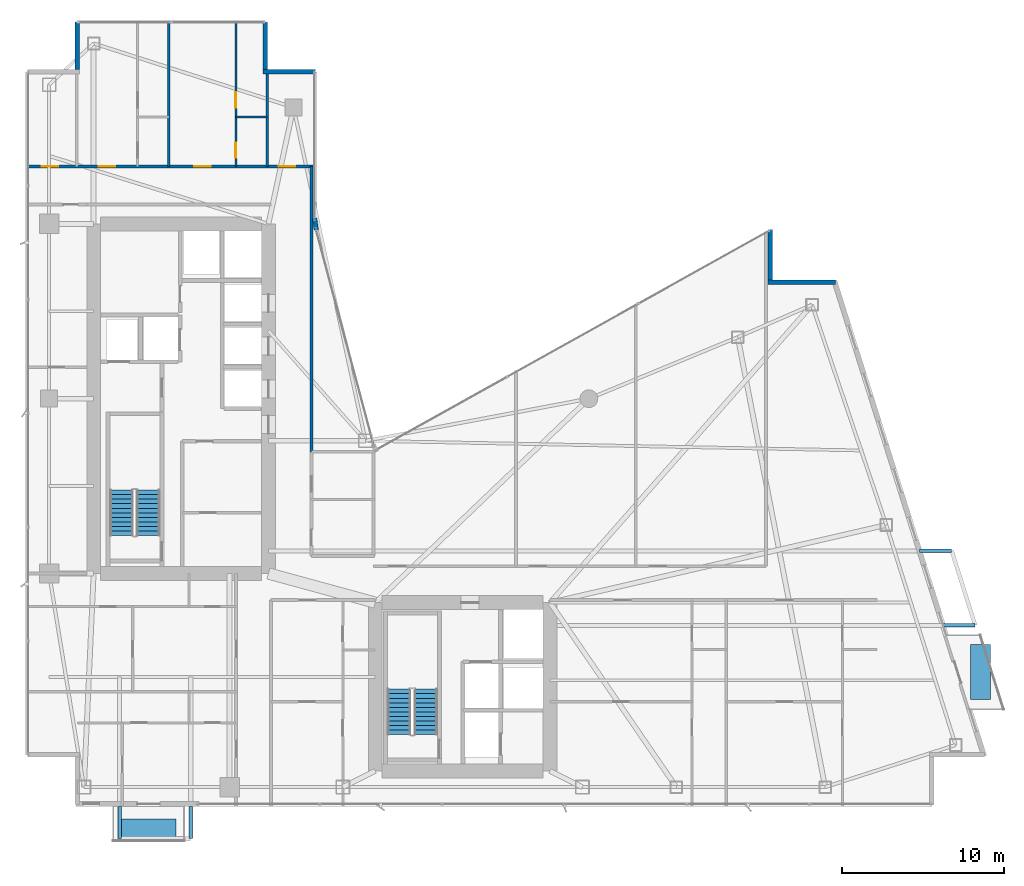
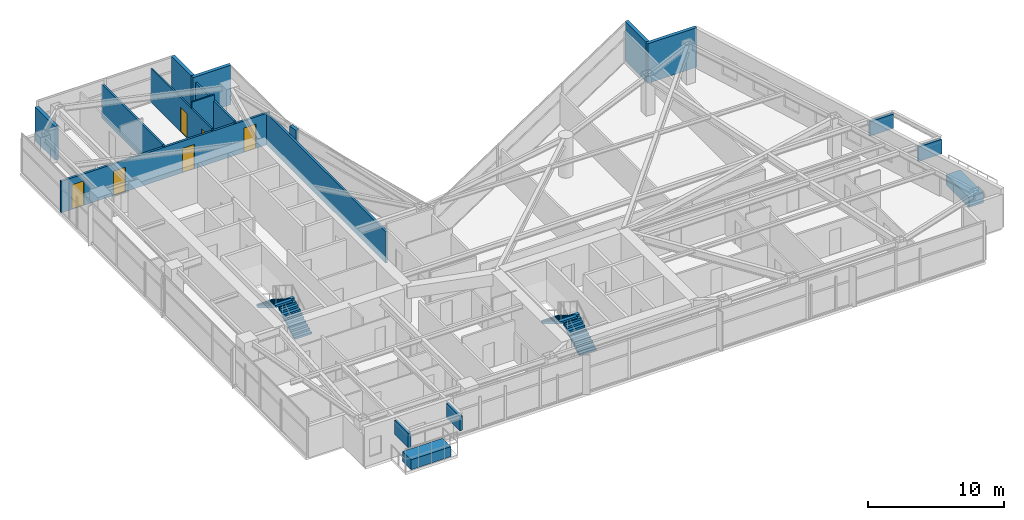
# One storey, part 25 of 28: 12 walls, 6 discrete accessories, 6 doors, 4 stair flights, 6 openings, 2 elements without a shape of their own.
"""IFC4 building model written with IfcOpenShell, lengths in metres."""

from ifc_helpers import new_model, si_unit, direction, frame, frame_2d, origin, origin_2d, place, context, subcontext, project, spatial, polyline, rectangle, outline, extrude, material, layer, layer_set, type_object, element, fill, aggregate, save


model = new_model("IFC4")

# Units and contexts
model_context = context("Model", 3, precision=1e-05, world=origin(), true_north=direction((0.0, 1.0)))
body_context = subcontext(model_context, "Body", "Model", "MODEL_VIEW")
ifc_project = project(units=[si_unit("LENGTHUNIT", "METRE"), si_unit("AREAUNIT", "SQUARE_METRE"), si_unit("VOLUMEUNIT", "CUBIC_METRE"), si_unit("PLANEANGLEUNIT", "RADIAN"), si_unit("MASSUNIT", "GRAM", prefix="KILO")], contexts=[model_context])

# Site, building, storey
site_placement = place(None, origin())
site = spatial("IfcSite", under=ifc_project, at=site_placement, CompositionType="ELEMENT")
building_placement = place(site_placement, origin())
building = spatial("IfcBuilding", under=site, at=building_placement, Name="Calvorn Quay Hotel", CompositionType="ELEMENT")
storey_placement = place(building_placement, frame((0.0, 0.0, 101.199951171875)))
storey = spatial("IfcBuildingStorey", under=building, at=storey_placement, Name="L24", CompositionType="ELEMENT", Elevation=101.199951171875)

# Wall, openings, doors
ifc_material_1 = material(Name="Acoustic Fireboard Steel-Stud Partition", Category="steel")
ifc_layer_1 = layer(ifc_material_1, 0.179931640625)
ifc_layer_set_1 = layer_set([ifc_layer_1], Name="WL-CORR-FIRE-180")
wall_type_1 = type_object("IfcWallType", Name="WL-CORR-FIRE-180", PredefinedType="PARTITIONING", material=ifc_layer_set_1)
wall_1_placement = place(storey_placement, frame((0.080078125, 41.949951171875, 0.0), z_axis=(0.0, 0.0, 1.0), x_axis=(1.0, 0.0, 0.0)))
wall_1 = element("IfcWall", 1, at=wall_1_placement, inside=storey, type_object=wall_type_1, Name="Partition Wall L24-WL-CORR-NW-N", PredefinedType="PARTITIONING", context=body_context, shape_type="SweptSolid", body=[
    extrude(rectangle(XDim=17.77001953125, YDim=0.179931640625, at=frame_2d((8.885009765625, 0.0))), origin(), (0.0, 0.0, 1.0), 2.840087890625),
])
opening_1_placement = place(wall_1_placement, frame((0.89990234375, 0.0, 0.0)))
opening_1 = element("IfcOpeningElement", 2, at=opening_1_placement, cuts=wall_1, Name="Opening D-L24-NWW", PredefinedType="OPENING", context=body_context, shape_type="SweptSolid", body=[
    extrude(rectangle(XDim=1.02001953125, YDim=2.199951171875, at=frame_2d((0.510009765625, 1.10009765625))), frame((0.0, 0.099853515625, 0.0), z_axis=(0.0, -1.0, 0.0), x_axis=(1.0, 0.0, 0.0)), (0.0, 0.0, 1.0), 0.199951171875),
])
opening_2_placement = place(wall_1_placement, frame((4.449951171875, 0.0, 0.0)))
opening_2 = element("IfcOpeningElement", 3, at=opening_2_placement, cuts=wall_1, Name="Opening D-L24-U04", PredefinedType="OPENING", context=body_context, shape_type="SweptSolid", body=[
    extrude(rectangle(XDim=1.02001953125, YDim=2.199951171875, at=frame_2d((0.510009765625, 1.10009765625))), frame((0.0, 0.099853515625, 0.0), z_axis=(0.0, -1.0, 0.0), x_axis=(1.0, 0.0, 0.0)), (0.0, 0.0, 1.0), 0.199951171875),
])
opening_3_placement = place(wall_1_placement, frame((10.330078125, 0.0, 0.0)))
opening_3 = element("IfcOpeningElement", 4, at=opening_3_placement, cuts=wall_1, Name="Opening D-L24-U05", PredefinedType="OPENING", context=body_context, shape_type="SweptSolid", body=[
    extrude(rectangle(XDim=1.02001953125, YDim=2.199951171875, at=frame_2d((0.510009765625, 1.10009765625))), frame((0.0, 0.099853515625, 0.0), z_axis=(0.0, -1.0, 0.0), x_axis=(1.0, 0.0, 0.0)), (0.0, 0.0, 1.0), 0.199951171875),
])
opening_4_placement = place(wall_1_placement, frame((15.550048828125, 0.0, 0.0)))
opening_4 = element("IfcOpeningElement", 5, at=opening_4_placement, cuts=wall_1, Name="Opening D-L24-NWE", PredefinedType="OPENING", context=body_context, shape_type="SweptSolid", body=[
    extrude(rectangle(XDim=1.02001953125, YDim=2.199951171875, at=frame_2d((0.510009765625, 1.10009765625))), frame((0.0, 0.099853515625, 0.0), z_axis=(0.0, -1.0, 0.0), x_axis=(1.0, 0.0, 0.0)), (0.0, 0.0, 1.0), 0.199951171875),
])
ifc_material_2 = material(Name="Solid-Core Walnut Veneer Hotel Fire Door")
door_type_1 = type_object("IfcDoorType", Name="DR-GUEST-ENTRY-1020", OperationType="NOTDEFINED", PredefinedType="DOOR", material=ifc_material_2)
door_1_placement = place(opening_1_placement, origin())
door_1 = element("IfcDoor", 6, at=door_1_placement, inside=storey, type_object=door_type_1, Name="West Corner Study Door (L24)", OperationType="SINGLE_SWING_LEFT", OverallHeight=2.199951171875, OverallWidth=1.02001953125, PredefinedType="DOOR", context=body_context, shape_type="SweptSolid", body=[
    extrude(rectangle(XDim=1.02001953125, YDim=2.199951171875, at=frame_2d((0.510009765625, 1.10009765625))), frame((0.0, 0.02490234375, 0.0), z_axis=(0.0, -1.0, 0.0), x_axis=(1.0, 0.0, 0.0)), (0.0, 0.0, 1.0), 0.050048828125),
])
fill(opening_1, door_1)
door_2_placement = place(opening_2_placement, origin())
door_2 = element("IfcDoor", 7, at=door_2_placement, inside=storey, type_object=door_type_1, Name="North-West Unit Door U04 (L24)", OperationType="SINGLE_SWING_RIGHT", OverallHeight=2.199951171875, OverallWidth=1.02001953125, PredefinedType="DOOR", context=body_context, shape_type="SweptSolid", body=[
    extrude(rectangle(XDim=1.02001953125, YDim=2.199951171875, at=frame_2d((0.510009765625, 1.10009765625))), frame((0.0, 0.02490234375, 0.0), z_axis=(0.0, -1.0, 0.0), x_axis=(1.0, 0.0, 0.0)), (0.0, 0.0, 1.0), 0.050048828125),
])
fill(opening_2, door_2)
door_3_placement = place(opening_3_placement, origin())
door_3 = element("IfcDoor", 8, at=door_3_placement, inside=storey, type_object=door_type_1, Name="North-West Unit Door U05 (L24)", OperationType="SINGLE_SWING_LEFT", OverallHeight=2.199951171875, OverallWidth=1.02001953125, PredefinedType="DOOR", context=body_context, shape_type="SweptSolid", body=[
    extrude(rectangle(XDim=1.02001953125, YDim=2.199951171875, at=frame_2d((0.510009765625, 1.10009765625))), frame((0.0, 0.02490234375, 0.0), z_axis=(0.0, -1.0, 0.0), x_axis=(1.0, 0.0, 0.0)), (0.0, 0.0, 1.0), 0.050048828125),
])
fill(opening_3, door_3)
door_4_placement = place(opening_4_placement, origin())
door_4 = element("IfcDoor", 9, at=door_4_placement, inside=storey, type_object=door_type_1, Name="Inner Court Study Door (L24)", OperationType="SINGLE_SWING_RIGHT", OverallHeight=2.199951171875, OverallWidth=1.02001953125, PredefinedType="DOOR", context=body_context, shape_type="SweptSolid", body=[
    extrude(rectangle(XDim=1.02001953125, YDim=2.199951171875, at=frame_2d((0.510009765625, 1.10009765625))), frame((0.0, 0.02490234375, 0.0), z_axis=(0.0, -1.0, 0.0), x_axis=(1.0, 0.0, 0.0)), (0.0, 0.0, 1.0), 0.050048828125),
])
fill(opening_4, door_4)

# Walls
wall_2_placement = place(storey_placement, frame((17.64990234375, 24.300048828125, 0.0), z_axis=(0.0, 0.0, 1.0), x_axis=(0.0, 1.0, 0.0)))
element("IfcWall", 10, at=wall_2_placement, inside=storey, type_object=wall_type_1, Name="Partition Wall L24-WL-NW-CLOSURE-E", PredefinedType="PARTITIONING", context=body_context, shape_type="SweptSolid", body=[
    extrude(rectangle(XDim=17.64990234375, YDim=0.179931640625, at=frame_2d((8.824951171875, 0.0))), origin(), (0.0, 0.0, 1.0), 2.840087890625),
])
ifc_material_3 = material(Name="Moisture-Resistant Tile-Backed Partition")
ifc_layer_2 = layer(ifc_material_3, 0.125)
ifc_layer_set_2 = layer_set([ifc_layer_2], Name="WL-ENSUITE-125")
wall_type_2 = type_object("IfcWallType", Name="WL-ENSUITE-125", PredefinedType="PARTITIONING", material=ifc_layer_set_2)
wall_3_placement = place(storey_placement, frame((12.989990234375, 45.02001953125, 0.0), z_axis=(0.0, 0.0, 1.0), x_axis=(1.0, 0.0, 0.0)))
element("IfcWall", 11, at=wall_3_placement, inside=storey, type_object=wall_type_2, Name="Partition Wall L24-WL-U05-BDV", PredefinedType="PARTITIONING", context=body_context, shape_type="SweptSolid", body=[
    extrude(rectangle(XDim=1.929931640625, YDim=0.125, at=frame_2d((0.96484375, 0.0))), origin(), (0.0, 0.0, 1.0), 3.56005859375),
])

# Wall, openings, doors
wall_4_placement = place(storey_placement, frame((12.989990234375, 41.949951171875, 0.0), z_axis=(0.0, 0.0, 1.0), x_axis=(0.0, 1.0, 0.0)))
wall_4 = element("IfcWall", 12, at=wall_4_placement, inside=storey, type_object=wall_type_2, Name="Partition Wall L24-WL-U05-BV", PredefinedType="PARTITIONING", context=body_context, shape_type="SweptSolid", body=[
    extrude(rectangle(XDim=8.989990234375, YDim=0.125, at=frame_2d((4.4951171875, 0.0))), origin(), (0.0, 0.0, 1.0), 3.0400390625),
])
opening_5_placement = place(wall_4_placement, frame((0.550048828125, 0.0, 0.0)))
opening_5 = element("IfcOpeningElement", 13, at=opening_5_placement, cuts=wall_4, Name="Opening D-L24-E05", PredefinedType="OPENING", context=body_context, shape_type="SweptSolid", body=[
    extrude(rectangle(XDim=0.89990234375, YDim=2.14990234375, at=frame_2d((0.449951171875, 1.074951171875))), frame((0.0, 0.072509765625, 0.0), z_axis=(0.0, -1.0, 0.0), x_axis=(1.0, 0.0, 0.0)), (0.0, 0.0, 1.0), 0.14501953125),
])
opening_6_placement = place(wall_4_placement, frame((3.6201171875, 0.0, 0.0)))
opening_6 = element("IfcOpeningElement", 14, at=opening_6_placement, cuts=wall_4, Name="Opening D-L24-S05", PredefinedType="OPENING", context=body_context, shape_type="SweptSolid", body=[
    extrude(rectangle(XDim=0.9599609375, YDim=2.199951171875, at=frame_2d((0.47998046875, 1.10009765625))), frame((0.0, 0.072509765625, 0.0), z_axis=(0.0, -1.0, 0.0), x_axis=(1.0, 0.0, 0.0)), (0.0, 0.0, 1.0), 0.14501953125),
])
ifc_material_4 = material(Name="Moisture-Sealed Timber En-Suite Door", Category="wood")
door_type_2 = type_object("IfcDoorType", Name="DR-ENSUITE-900", OperationType="NOTDEFINED", PredefinedType="DOOR", material=ifc_material_4)
door_5_placement = place(opening_5_placement, origin())
door_5 = element("IfcDoor", 15, at=door_5_placement, inside=storey, type_object=door_type_2, Name="En-Suite Door 05", OperationType="SINGLE_SWING_LEFT", OverallHeight=2.14990234375, OverallWidth=0.89990234375, PredefinedType="DOOR", context=body_context, shape_type="SweptSolid", body=[
    extrude(rectangle(XDim=0.89990234375, YDim=2.14990234375, at=frame_2d((0.449951171875, 1.074951171875))), frame((0.0, 0.02490234375, 0.0), z_axis=(0.0, -1.0, 0.0), x_axis=(1.0, 0.0, 0.0)), (0.0, 0.0, 1.0), 0.050048828125),
])
fill(opening_5, door_5)
ifc_material_5 = material(Name="Solid Timber Internal Suite Door", Category="wood")
door_type_3 = type_object("IfcDoorType", Name="DR-SUITE-INT-960", OperationType="NOTDEFINED", PredefinedType="DOOR", material=ifc_material_5)
door_6_placement = place(opening_6_placement, origin())
door_6 = element("IfcDoor", 16, at=door_6_placement, inside=storey, type_object=door_type_3, Name="Children Play Nursery Door 05", OperationType="SINGLE_SWING_RIGHT", OverallHeight=2.199951171875, OverallWidth=0.9599609375, PredefinedType="DOOR", context=body_context, shape_type="SweptSolid", body=[
    extrude(rectangle(XDim=0.9599609375, YDim=2.199951171875, at=frame_2d((0.47998046875, 1.10009765625))), frame((0.0, 0.02490234375, 0.0), z_axis=(0.0, -1.0, 0.0), x_axis=(1.0, 0.0, 0.0)), (0.0, 0.0, 1.0), 0.050048828125),
])
fill(opening_6, door_6)

# Walls
ifc_material_6 = material(Name="Concrete C40", Category="concrete")
ifc_layer_3 = layer(ifc_material_6, 0.320068359375)
ifc_layer_set_3 = layer_set([ifc_layer_3], Name="WL-EXT-SPANDREL-320")
wall_type_3 = type_object("IfcWallType", Name="WL-EXT-SPANDREL-320", PredefinedType="SOLIDWALL", material=ifc_layer_set_3)
wall_5_placement = place(storey_placement, frame((17.9619140625, 38.030029296875, 0.0), z_axis=(0.0, 0.0, 1.0), x_axis=(-0.15141125477, 0.988470855377, 0.0)))
element("IfcWall", 17, at=wall_5_placement, inside=storey, type_object=wall_type_3, Name="Inner Court Corner Pier L24-ICJ2", PredefinedType="SOLIDWALL", context=body_context, shape_type="SweptSolid", body=[
    extrude(rectangle(XDim=0.738525390625, YDim=0.280029296875, at=frame_2d((0.369140625, 0.0))), origin(), (0.0, 0.0, 1.0), 3.56005859375),
])
wall_6_placement = place(storey_placement, frame((50.0400390625, 34.800048828125, 0.0), z_axis=(0.0, 0.0, 1.0), x_axis=(-1.0, 0.0, 0.0)))
element("IfcWall", 18, at=wall_6_placement, inside=storey, type_object=wall_type_3, Name="Notched Corner Spandrel L24-NE1", PredefinedType="SOLIDWALL", context=body_context, shape_type="SweptSolid", body=[
    extrude(rectangle(XDim=4.179931640625, YDim=0.280029296875, at=frame_2d((2.08984375, 0.0))), origin(), (0.0, 0.0, 1.0), 3.56005859375),
])
wall_7_placement = place(storey_placement, frame((46.0, 34.93994140625, 0.0), z_axis=(0.0, 0.0, 1.0), x_axis=(0.0, 1.0, 0.0)))
element("IfcWall", 19, at=wall_7_placement, inside=storey, type_object=wall_type_3, Name="Notched Corner Spandrel L24-NE2", PredefinedType="SOLIDWALL", context=body_context, shape_type="SweptSolid", body=[
    extrude(rectangle(XDim=3.10009765625, YDim=0.280029296875, at=frame_2d((1.550048828125, 0.0))), origin(), (0.0, 0.0, 1.0), 3.56005859375),
])
wall_8_placement = place(storey_placement, frame((17.89990234375, 47.800048828125, 0.0), z_axis=(0.0, 0.0, 1.0), x_axis=(-1.0, 0.0, 0.0)))
element("IfcWall", 20, at=wall_8_placement, inside=storey, type_object=wall_type_3, Name="Notched Corner Spandrel L24-NWE1", PredefinedType="SOLIDWALL", context=body_context, shape_type="SweptSolid", body=[
    extrude(rectangle(XDim=3.239990234375, YDim=0.280029296875, at=frame_2d((1.6201171875, 0.0))), origin(), (0.0, 0.0, 1.0), 3.56005859375),
])
wall_9_placement = place(storey_placement, frame((14.800048828125, 47.93994140625, 0.0), z_axis=(0.0, 0.0, 1.0), x_axis=(0.0, 1.0, 0.0)))
element("IfcWall", 21, at=wall_9_placement, inside=storey, type_object=wall_type_3, Name="Notched Corner Spandrel L24-NWE2", PredefinedType="SOLIDWALL", context=body_context, shape_type="SweptSolid", body=[
    extrude(rectangle(XDim=2.93994140625, YDim=0.280029296875, at=frame_2d((1.469970703125, 0.0))), origin(), (0.0, 0.0, 1.0), 3.56005859375),
])
wall_10_placement = place(storey_placement, frame((3.199951171875, 50.8798828125, 0.0), z_axis=(0.0, 0.0, 1.0), x_axis=(0.0, -1.0, 0.0)))
element("IfcWall", 22, at=wall_10_placement, inside=storey, type_object=wall_type_3, Name="Notched Corner Spandrel L24-NW1", PredefinedType="SOLIDWALL", context=body_context, shape_type="SweptSolid", body=[
    extrude(rectangle(XDim=2.93994140625, YDim=0.280029296875, at=frame_2d((1.469970703125, 0.0))), origin(), (0.0, 0.0, 1.0), 3.0400390625),
])
ifc_material_7 = material(Name="Double-Stud Acoustic Gypsum Partition")
ifc_layer_4 = layer(ifc_material_7, 0.159912109375)
ifc_layer_set_4 = layer_set([ifc_layer_4], Name="WL-INTERSUITE-160")
wall_type_4 = type_object("IfcWallType", Name="WL-INTERSUITE-160", PredefinedType="PARTITIONING", material=ifc_layer_set_4)
wall_11_placement = place(storey_placement, frame((14.919921875, 41.949951171875, 0.0), z_axis=(0.0, 0.0, 1.0), x_axis=(0.0, 1.0, 0.0)))
element("IfcWall", 23, at=wall_11_placement, inside=storey, type_object=wall_type_4, Name="Partition Wall L24-WL-NW-DIV-E0", PredefinedType="PARTITIONING", context=body_context, shape_type="SweptSolid", body=[
    extrude(rectangle(XDim=5.85009765625, YDim=0.159912109375, at=frame_2d((2.925048828125, 0.0))), origin(), (0.0, 0.0, 1.0), 3.0400390625),
])
wall_12_placement = place(storey_placement, frame((8.85009765625, 41.949951171875, 0.0), z_axis=(0.0, 0.0, 1.0), x_axis=(0.0, 1.0, 0.0)))
element("IfcWall", 24, at=wall_12_placement, inside=storey, type_object=wall_type_4, Name="Partition Wall L24-WL-NW-DIV-1", PredefinedType="PARTITIONING", context=body_context, shape_type="SweptSolid", body=[
    extrude(rectangle(XDim=8.989990234375, YDim=0.159912109375, at=frame_2d((4.4951171875, 0.0))), origin(), (0.0, 0.0, 1.0), 3.0400390625),
])

# Stair, stair flights
ifc_material_8 = material(Name="Concrete C40", Category="concrete")
stair_type = type_object("IfcStairType", Name="STR-CORE-DOGLEG", PredefinedType="HALF_TURN_STAIR", material=ifc_material_8)
stair_1_placement = place(storey_placement, origin())
stair_1 = element("IfcStair", 25, at=stair_1_placement, inside=storey, type_object=stair_type, Name="L24 ST-W", PredefinedType="HALF_TURN_STAIR")
ifc_material_9 = material(Name="Concrete C40", Category="concrete")
stair_flight_type = type_object("IfcStairFlightType", Name="FLT-CORE-1550", PredefinedType="STRAIGHT", material=ifc_material_9)
stair_flight_1_placement = place(storey_placement, frame((7.574951171875, 19.14990234375, 0.0), z_axis=(0.0, 0.0, 1.0), x_axis=(0.0, 1.0, 0.0)))
stair_flight_1 = element("IfcStairFlight", 26, at=stair_flight_1_placement, type_object=stair_flight_type, Name="ST-W flight 1", NumberOfRisers=11, NumberOfTreads=10, PredefinedType="STRAIGHT", RiserHeight=0.172727273, TreadLength=0.28, context=body_context, shape_type="SweptSolid", body=[
    extrude(outline(polyline([(0.0, 0.0), (0.0, 0.172607421875), (0.280029296875, 0.172607421875), (0.280029296875, 0.345458984375), (0.56005859375, 0.345458984375), (0.56005859375, 0.51806640625), (0.840087890625, 0.51806640625), (0.840087890625, 0.69091796875), (1.1201171875, 0.69091796875), (1.1201171875, 0.863525390625), (1.39990234375, 0.863525390625), (1.39990234375, 1.036376953125), (1.679931640625, 1.036376953125), (1.679931640625, 1.208984375), (1.9599609375, 1.208984375), (1.9599609375, 1.3818359375), (2.239990234375, 1.3818359375), (2.239990234375, 1.554443359375), (2.52001953125, 1.554443359375), (2.52001953125, 1.727294921875), (2.800048828125, 1.727294921875), (2.800048828125, 1.89990234375), (2.800048828125, 1.551025390625), (0.285400390625, 0.0), (0.0, 0.0)])), frame((0.0, 0.72509765625, 0.0), z_axis=(0.0, -1.0, 0.0), x_axis=(1.0, 0.0, 0.0)), (0.0, 0.0, 1.0), 1.449951171875),
])
stair_flight_2_placement = place(storey_placement, frame((5.925048828125, 21.949951171875, 1.900146484375), z_axis=(0.0, 0.0, 1.0), x_axis=(0.0, -1.0, 0.0)))
stair_flight_2 = element("IfcStairFlight", 27, at=stair_flight_2_placement, type_object=stair_flight_type, Name="ST-W flight 2", NumberOfRisers=11, NumberOfTreads=10, PredefinedType="STRAIGHT", RiserHeight=0.172727273, TreadLength=0.28, context=body_context, shape_type="SweptSolid", body=[
    extrude(outline(polyline([(0.0, 0.0), (0.0, 0.172607421875), (0.280029296875, 0.172607421875), (0.280029296875, 0.345458984375), (0.56005859375, 0.345458984375), (0.56005859375, 0.51806640625), (0.840087890625, 0.51806640625), (0.840087890625, 0.69091796875), (1.1201171875, 0.69091796875), (1.1201171875, 0.863525390625), (1.39990234375, 0.863525390625), (1.39990234375, 1.036376953125), (1.679931640625, 1.036376953125), (1.679931640625, 1.208984375), (1.9599609375, 1.208984375), (1.9599609375, 1.3818359375), (2.239990234375, 1.3818359375), (2.239990234375, 1.554443359375), (2.52001953125, 1.554443359375), (2.52001953125, 1.727294921875), (2.800048828125, 1.727294921875), (2.800048828125, 1.89990234375), (2.800048828125, 1.551025390625), (0.285400390625, 0.0), (0.0, 0.0)])), frame((0.0, 0.72509765625, 0.0), z_axis=(0.0, -1.0, 0.0), x_axis=(1.0, 0.0, 0.0)), (0.0, 0.0, 1.0), 1.449951171875),
])
aggregate(stair_1, [stair_flight_1, stair_flight_2])

stair_2_placement = place(storey_placement, origin())
stair_2 = element("IfcStair", 28, at=stair_2_placement, inside=storey, type_object=stair_type, Name="L24 ST-E", PredefinedType="HALF_TURN_STAIR")
stair_flight_3_placement = place(storey_placement, frame((24.72509765625, 6.85009765625, 0.0), z_axis=(0.0, 0.0, 1.0), x_axis=(0.0, 1.0, 0.0)))
stair_flight_3 = element("IfcStairFlight", 29, at=stair_flight_3_placement, type_object=stair_flight_type, Name="ST-E flight 1", NumberOfRisers=11, NumberOfTreads=10, PredefinedType="STRAIGHT", RiserHeight=0.172727273, TreadLength=0.28, context=body_context, shape_type="SweptSolid", body=[
    extrude(outline(polyline([(0.0, 0.0), (0.0, 0.172607421875), (0.280029296875, 0.172607421875), (0.280029296875, 0.345458984375), (0.56005859375, 0.345458984375), (0.56005859375, 0.51806640625), (0.840087890625, 0.51806640625), (0.840087890625, 0.69091796875), (1.1201171875, 0.69091796875), (1.1201171875, 0.863525390625), (1.39990234375, 0.863525390625), (1.39990234375, 1.036376953125), (1.679931640625, 1.036376953125), (1.679931640625, 1.208984375), (1.9599609375, 1.208984375), (1.9599609375, 1.3818359375), (2.239990234375, 1.3818359375), (2.239990234375, 1.554443359375), (2.52001953125, 1.554443359375), (2.52001953125, 1.727294921875), (2.800048828125, 1.727294921875), (2.800048828125, 1.89990234375), (2.800048828125, 1.551025390625), (0.285400390625, 0.0), (0.0, 0.0)])), frame((0.0, 0.72509765625, 0.0), z_axis=(0.0, -1.0, 0.0), x_axis=(1.0, 0.0, 0.0)), (0.0, 0.0, 1.0), 1.449951171875),
])
stair_flight_4_placement = place(storey_placement, frame((23.074951171875, 9.64990234375, 1.900146484375), z_axis=(0.0, 0.0, 1.0), x_axis=(0.0, -1.0, 0.0)))
stair_flight_4 = element("IfcStairFlight", 30, at=stair_flight_4_placement, type_object=stair_flight_type, Name="ST-E flight 2", NumberOfRisers=11, NumberOfTreads=10, PredefinedType="STRAIGHT", RiserHeight=0.172727273, TreadLength=0.28, context=body_context, shape_type="SweptSolid", body=[
    extrude(outline(polyline([(0.0, 0.0), (0.0, 0.172607421875), (0.280029296875, 0.172607421875), (0.280029296875, 0.345458984375), (0.56005859375, 0.345458984375), (0.56005859375, 0.51806640625), (0.840087890625, 0.51806640625), (0.840087890625, 0.69091796875), (1.1201171875, 0.69091796875), (1.1201171875, 0.863525390625), (1.39990234375, 0.863525390625), (1.39990234375, 1.036376953125), (1.679931640625, 1.036376953125), (1.679931640625, 1.208984375), (1.9599609375, 1.208984375), (1.9599609375, 1.3818359375), (2.239990234375, 1.3818359375), (2.239990234375, 1.554443359375), (2.52001953125, 1.554443359375), (2.52001953125, 1.727294921875), (2.800048828125, 1.727294921875), (2.800048828125, 1.89990234375), (2.800048828125, 1.551025390625), (0.285400390625, 0.0), (0.0, 0.0)])), frame((0.0, 0.72509765625, 0.0), z_axis=(0.0, -1.0, 0.0), x_axis=(1.0, 0.0, 0.0)), (0.0, 0.0, 1.0), 1.449951171875),
])
aggregate(stair_2, [stair_flight_3, stair_flight_4])

# Discrete accessories
ifc_material_10 = material(Name="Steel Q355B", Category="steel")
discrete_accessory_type_1 = type_object("IfcDiscreteAccessoryType", Name="ACC-BALC-STRUT", PredefinedType="BRACKET", material=ifc_material_10)
for number, where, z_axis, x_axis, name in (
    (31, (57.674072265625, 13.60009765625, 2.01513671875), (0.0, 0.0, 1.0), (1.0, 0.0, 0.0), "Exterior Balcony Steel Bracket L25-BALC-E-A"),
    (32, (56.22509765625, 18.199951171875, 2.01513671875), (0.0, 0.0, 1.0), (1.0, 0.0, 0.0), "Exterior Balcony Steel Bracket L25-BALC-E-B"),
):
    element("IfcDiscreteAccessory", number, at=place(storey_placement, frame(where, z_axis=z_axis, x_axis=x_axis)), inside=storey, type_object=discrete_accessory_type_1, Name=name, PredefinedType="BRACKET", context=body_context, shape_type="SweptSolid", body=[
        extrude(rectangle(XDim=1.989990234375, YDim=0.219970703125, at=origin_2d()), origin(), (0.0, 0.0, 1.0), 1.300048828125),
    ])
for number, where, z_axis, x_axis, name in (
    (33, (5.800048828125, 1.405029296875, 2.01513671875), (0.0, 0.0, 1.0), (1.0, 0.0, 0.0), "Exterior Balcony Steel Bracket L25-BALC-S-A"),
    (34, (10.199951171875, 1.405029296875, 2.01513671875), (0.0, 0.0, 1.0), (1.0, 0.0, 0.0), "Exterior Balcony Steel Bracket L25-BALC-S-B"),
):
    element("IfcDiscreteAccessory", number, at=place(storey_placement, frame(where, z_axis=z_axis, x_axis=x_axis)), inside=storey, type_object=discrete_accessory_type_1, Name=name, PredefinedType="BRACKET", context=body_context, shape_type="SweptSolid", body=[
        extrude(rectangle(XDim=0.219970703125, YDim=1.989990234375, at=origin_2d()), origin(), (0.0, 0.0, 1.0), 1.300048828125),
    ])
ifc_material_11 = material(Name="Precast concrete C40", Category="concrete")
discrete_accessory_type_2 = type_object("IfcDiscreteAccessoryType", Name="ACC-TREE-PLANTER", PredefinedType="USERDEFINED", material=ifc_material_11)
discrete_accessory_1_placement = place(storey_placement, frame((59.0029296875, 10.699951171875, 0.0), z_axis=(0.0, 0.0, 1.0), x_axis=(1.0, 0.0, 0.0)))
element("IfcDiscreteAccessory", 35, at=discrete_accessory_1_placement, inside=storey, type_object=discrete_accessory_type_2, Name="Subtropical Tree Structural Planter L24-BALC-E", ObjectType="PLANTER", PredefinedType="USERDEFINED", context=body_context, shape_type="SweptSolid", body=[
    extrude(rectangle(XDim=1.25, YDim=3.39990234375, at=origin_2d()), origin(), (0.0, 0.0, 1.0), 0.89990234375),
])
discrete_accessory_2_placement = place(storey_placement, frame((7.60009765625, 0.989990234375, 0.0), z_axis=(0.0, 0.0, 1.0), x_axis=(1.0, 0.0, 0.0)))
element("IfcDiscreteAccessory", 36, at=discrete_accessory_2_placement, inside=storey, type_object=discrete_accessory_type_2, Name="Subtropical Tree Structural Planter L24-BALC-S", ObjectType="PLANTER", PredefinedType="USERDEFINED", context=body_context, shape_type="SweptSolid", body=[
    extrude(rectangle(XDim=3.39990234375, YDim=1.25, at=origin_2d()), origin(), (0.0, 0.0, 1.0), 0.89990234375),
])

save(model, "model.ifc")
